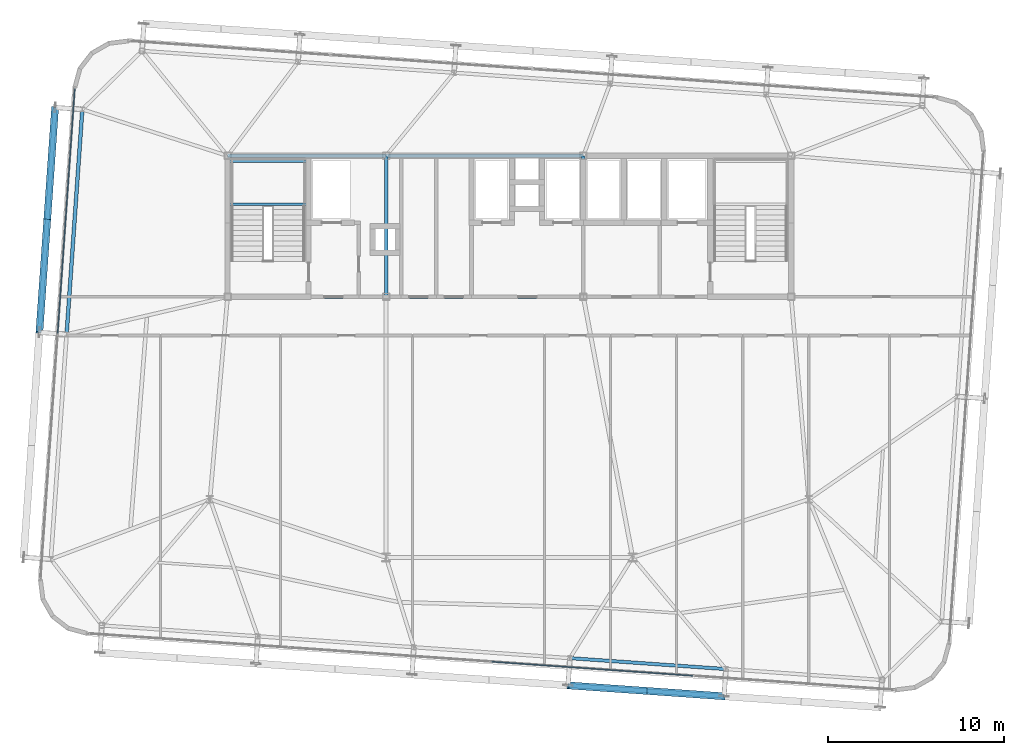
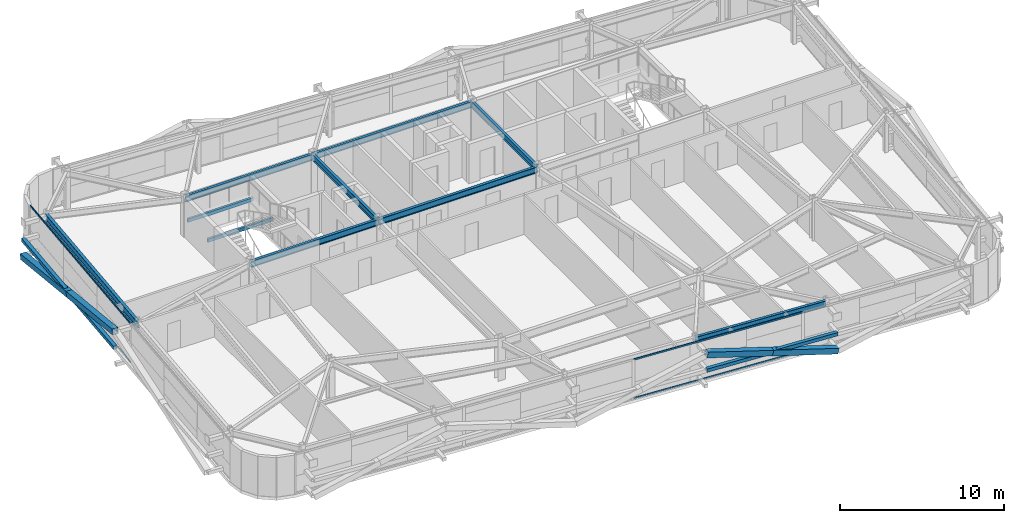
# One storey, part 12 of 39: 10 beams, 10 members, 2 elements without a shape of their own.
"""IFC4 building model written with IfcOpenShell, lengths in metres."""

from ifc_helpers import new_model, si_unit, direction, frame, origin, origin_2d, place, context, subcontext, project, spatial, hollow_rectangle, i_section, extrude, source, transform, mapped, material, layer, layer_set, material_profile, profile_set, type_object, element, aggregate, save


model = new_model("IFC4")

# Units and contexts
model_context = context("Model", 3, precision=1e-05, world=origin(), true_north=direction((0.0, 1.0)))
body_context = subcontext(model_context, "Body", "Model", "MODEL_VIEW")
ifc_project = project(units=[si_unit("LENGTHUNIT", "METRE"), si_unit("AREAUNIT", "SQUARE_METRE"), si_unit("VOLUMEUNIT", "CUBIC_METRE"), si_unit("PLANEANGLEUNIT", "RADIAN"), si_unit("MASSUNIT", "GRAM", prefix="KILO")], contexts=[model_context])

# Site, building, storey
site_placement = place(None, origin())
site = spatial("IfcSite", under=ifc_project, at=site_placement, CompositionType="ELEMENT")
building_placement = place(site_placement, origin())
building = spatial("IfcBuilding", under=site, at=building_placement, Name="Taldren Reach Tower", CompositionType="ELEMENT")
storey_placement = place(building_placement, frame((0.0, 0.0, 133.0)))
storey = spatial("IfcBuildingStorey", under=building, at=storey_placement, Name="L40", CompositionType="ELEMENT", Elevation=133.0)

# Beams
ifc_material_1 = material(Name="Steel Gr 350 (350PLUS)", Category="steel")
ifc_material_profile_1 = material_profile(ifc_material_1, i_section(OverallWidth=0.19091796875, OverallDepth=0.4599609375, WebThickness=0.010009765625, FlangeThickness=0.01611328125, at=origin_2d()), Name="460UB82.1")
ifc_profile_set_1 = profile_set([ifc_material_profile_1], Name="Steel Gr 350 (350PLUS)")
beam_type_1 = type_object("IfcBeamType", Name="BM-UB460A", PredefinedType="BEAM", material=ifc_profile_set_1)
shared_shape_1 = source(origin(), body_context, "Body", "SweptSolid", [
    extrude(i_section(OverallWidth=0.19091796875, OverallDepth=0.4599609375, WebThickness=0.010009765625, FlangeThickness=0.01611328125, at=origin_2d()), origin(), (0.0, 0.0, 1.0), 9.0),
])
for number, where, z_axis, x_axis, name in (
    (1, (19.0, 24.0, 2.699951171875), (1.0, 0.0, 0.0), (0.0, 1.0, 0.0), "Core-spine girder L40-SP01"),
    (2, (19.0, 32.0, 2.699951171875), (1.0, 0.0, 0.0), (0.0, 1.0, 0.0), "Core-spine girder L40-SP04"),
):
    element("IfcBeam", number, at=place(storey_placement, frame(where, z_axis=z_axis, x_axis=x_axis)), inside=storey, type_object=beam_type_1, Name=name, PredefinedType="BEAM", context=body_context, shape_type="MappedRepresentation", body=[
        mapped(shared_shape_1, transform((0.0, 0.0, 0.0), scale=1.0)),
    ])
shared_shape_2 = source(origin(), body_context, "Body", "SweptSolid", [
    extrude(i_section(OverallWidth=0.19091796875, OverallDepth=0.4599609375, WebThickness=0.010009765625, FlangeThickness=0.01611328125, at=origin_2d()), origin(), (0.0, 0.0, 1.0), 11.199951171875),
])
for number, where, z_axis, x_axis, name in (
    (3, (28.0, 24.0, 2.699951171875), (1.0, 0.0, 0.0), (0.0, 1.0, 0.0), "Core-spine girder L40-SP02"),
    (4, (28.0, 32.0, 2.699951171875), (1.0, 0.0, 0.0), (0.0, 1.0, 0.0), "Core-spine girder L40-SP05"),
):
    element("IfcBeam", number, at=place(storey_placement, frame(where, z_axis=z_axis, x_axis=x_axis)), inside=storey, type_object=beam_type_1, Name=name, PredefinedType="BEAM", context=body_context, shape_type="MappedRepresentation", body=[
        mapped(shared_shape_2, transform((0.0, 0.0, 0.0), scale=1.0)),
    ])
shared_shape_3 = source(origin(), body_context, "Body", "SweptSolid", [
    extrude(i_section(OverallWidth=0.19091796875, OverallDepth=0.4599609375, WebThickness=0.010009765625, FlangeThickness=0.01611328125, at=origin_2d()), origin(), (0.0, 0.0, 1.0), 8.0),
])
for number, where, z_axis, x_axis, name in (
    (5, (28.0, 24.0, 2.699951171875), (0.0, 1.0, 0.0), (-1.0, 0.0, 0.0), "Core-spine girder L40-SP07"),
    (6, (39.199951171875, 24.0, 2.699951171875), (0.0, 1.0, 0.0), (-1.0, 0.0, 0.0), "Core-spine girder L40-SP08"),
):
    element("IfcBeam", number, at=place(storey_placement, frame(where, z_axis=z_axis, x_axis=x_axis)), inside=storey, type_object=beam_type_1, Name=name, PredefinedType="BEAM", context=body_context, shape_type="MappedRepresentation", body=[
        mapped(shared_shape_3, transform((0.0, 0.0, 0.0), scale=1.0)),
    ])
ifc_material_profile_2 = material_profile(ifc_material_1, i_section(OverallWidth=0.18994140625, OverallDepth=0.4541015625, WebThickness=0.008544921875, FlangeThickness=0.0126953125, at=origin_2d()), Name="460UB67.1")
ifc_profile_set_2 = profile_set([ifc_material_profile_2], Name="Steel Gr 350 (350PLUS)")
beam_type_2 = type_object("IfcBeamType", Name="SP-UB460B", PredefinedType="SPANDREL", material=ifc_profile_set_2)
shared_shape_4 = source(origin(), body_context, "Body", "SweptSolid", [
    extrude(i_section(OverallWidth=0.18994140625, OverallDepth=0.4541015625, WebThickness=0.008544921875, FlangeThickness=0.0126953125, at=origin_2d()), origin(), (0.0, 0.0, 1.0), 8.880126953125),
])
beam_1_placement = place(storey_placement, frame((38.438720703125, 3.480224609375, 2.702880859375), z_axis=(0.997562566276, -0.06977769246, 0.0), x_axis=(0.06977769246, 0.997562566276, 0.0)))
element("IfcBeam", 7, at=beam_1_placement, inside=storey, type_object=beam_type_2, Name="Perimeter spandrel B3 S4-S5 L40", PredefinedType="SPANDREL", context=body_context, shape_type="MappedRepresentation", body=[
    mapped(shared_shape_4, transform((0.0, 0.0, 0.0), scale=1.0)),
])
ifc_material_profile_3 = material_profile(ifc_material_1, i_section(OverallWidth=0.208984375, OverallDepth=0.528076171875, WebThickness=0.009521484375, FlangeThickness=0.01318359375, at=origin_2d()), Name="530UB82.0")
ifc_profile_set_3 = profile_set([ifc_material_profile_3], Name="Steel Gr 350 (350PLUS)")
beam_type_3 = type_object("IfcBeamType", Name="SP-UB530B", PredefinedType="SPANDREL", material=ifc_profile_set_3)
shared_shape_5 = source(origin(), body_context, "Body", "SweptSolid", [
    extrude(i_section(OverallWidth=0.208984375, OverallDepth=0.528076171875, WebThickness=0.009521484375, FlangeThickness=0.01318359375, at=origin_2d()), origin(), (0.0, 0.0, 1.0), 12.800048828125),
])
beam_2_placement = place(storey_placement, frame((10.754638671875, 34.63720703125, 2.666015625), z_axis=(-0.069751876777, -0.9975643717, 0.0), x_axis=(0.9975643717, -0.069751876777, 0.0)))
element("IfcBeam", 8, at=beam_2_placement, inside=storey, type_object=beam_type_3, Name="Perimeter spandrel B3 W3-W2 L40", PredefinedType="SPANDREL", context=body_context, shape_type="MappedRepresentation", body=[
    mapped(shared_shape_5, transform((0.0, 0.0, 0.0), scale=1.0)),
])

# Members
ifc_material_2 = material(Name="Steel Gr 350 (C350L0)", Category="steel")
ifc_material_profile_4 = material_profile(ifc_material_2, hollow_rectangle(XDim=0.25, YDim=0.25, WallThickness=0.010009765625, at=origin_2d()), Name="250x250x10.0SHS")
ifc_profile_set_4 = profile_set([ifc_material_profile_4], Name="Steel Gr 350 (C350L0)")
member_type_1 = type_object("IfcMemberType", Name="MB-POST250", PredefinedType="POST", material=ifc_profile_set_4)
shared_shape_6 = source(origin(), body_context, "Body", "SweptSolid", [
    extrude(hollow_rectangle(XDim=0.25, YDim=0.25, WallThickness=0.010009765625, at=origin_2d()), origin(), (0.0, 0.0, 1.0), 8.880126953125),
])
member_1_placement = place(storey_placement, frame((38.33056640625, 1.933837890625, 1.43505859375), z_axis=(0.997564479639, -0.069750333063, 0.0), x_axis=(0.069750333063, 0.997564479639, 0.0)))
element("IfcMember", 9, at=member_1_placement, inside=storey, type_object=member_type_1, Name="Exoskeleton mid-height ring chord B3-S4 L40", PredefinedType="POST", context=body_context, shape_type="MappedRepresentation", body=[
    mapped(shared_shape_6, transform((0.0, 0.0, 0.0), scale=1.0)),
])
shared_shape_7 = source(origin(), body_context, "Body", "SweptSolid", [
    extrude(hollow_rectangle(XDim=0.25, YDim=0.25, WallThickness=0.010009765625, at=origin_2d()), origin(), (0.0, 0.0, 1.0), 12.800048828125),
])
member_2_placement = place(storey_placement, frame((8.3154296875, 21.9765625, 1.43505859375), z_axis=(0.069770857464, 0.997563044348, 0.0), x_axis=(-0.997563044348, 0.069770857464, 0.0)))
element("IfcMember", 10, at=member_2_placement, inside=storey, type_object=member_type_1, Name="Exoskeleton mid-height ring chord B3-W2 L40", PredefinedType="POST", context=body_context, shape_type="MappedRepresentation", body=[
    mapped(shared_shape_7, transform((0.0, 0.0, 0.0), scale=1.0)),
])
ifc_material_3 = material(Name="Steel Gr 450 (C450L0)", Category="steel")
ifc_material_profile_5 = material_profile(ifc_material_3, hollow_rectangle(XDim=0.409912109375, YDim=0.409912109375, WallThickness=0.01611328125, at=origin_2d()), Name="410x410x16.0SHS")
ifc_profile_set_5 = profile_set([ifc_material_profile_5], Name="Steel Gr 450 (C450L0)")
member_type_2 = type_object("IfcMemberType", Name="MB-EXO406", PredefinedType="BRACE", material=ifc_profile_set_5)
shared_shape_8 = source(origin(), body_context, "Body", "SweptSolid", [
    extrude(hollow_rectangle(XDim=0.409912109375, YDim=0.409912109375, WallThickness=0.01611328125, at=origin_2d()), origin(), (0.0, 0.0, 1.0), 4.603271484375),
])
for number, where, z_axis, x_axis, name in (
    (11, (47.18896484375, 1.314453125, 0.219970703125), (-0.962182351074, 0.067302910567, 0.263961060594), (-0.06977769246, -0.997562566276, 0.0), "Exoskeleton Diagrid Brace B3-S4 L40"),
    (12, (42.759765625, 1.624267578125, 1.43505859375), (-0.962199253371, 0.067251055742, 0.263912660389), (-0.069722973508, -0.997566392259, 0.0), "Exoskeleton Diagrid Brace B3-S4 L40"),
):
    element("IfcMember", number, at=place(storey_placement, frame(where, z_axis=z_axis, x_axis=x_axis)), inside=storey, type_object=member_type_2, Name=name, PredefinedType="BRACE", context=body_context, shape_type="MappedRepresentation", body=[
        mapped(shared_shape_8, transform((0.0, 0.0, 0.0), scale=1.0)),
    ])
shared_shape_9 = source(origin(), body_context, "Body", "SweptSolid", [
    extrude(hollow_rectangle(XDim=0.409912109375, YDim=0.409912109375, WallThickness=0.01611328125, at=origin_2d()), origin(), (0.0, 0.0, 1.0), 6.514404296875),
])
member_3_placement = place(storey_placement, frame((9.20849609375, 34.745361328125, 0.219970703125), z_axis=(-0.068545126831, -0.980056649402, 0.186522195865), x_axis=(0.997563137195, -0.069769529958, 0.0)))
element("IfcMember", 13, at=member_3_placement, inside=storey, type_object=member_type_2, Name="Exoskeleton Diagrid Brace B3-W2 L40", PredefinedType="BRACE", context=body_context, shape_type="MappedRepresentation", body=[
    mapped(shared_shape_9, transform((0.0, 0.0, 0.0), scale=1.0)),
])
shared_shape_10 = source(origin(), body_context, "Body", "SweptSolid", [
    extrude(hollow_rectangle(XDim=0.409912109375, YDim=0.409912109375, WallThickness=0.01611328125, at=origin_2d()), origin(), (0.0, 0.0, 1.0), 6.51416015625),
])
member_4_placement = place(storey_placement, frame((8.761962890625, 28.36083984375, 1.43505859375), z_axis=(-0.068548123702, -0.980062020128, 0.186492872358), x_axis=(0.997562951496, -0.069772185021, 0.0)))
element("IfcMember", 14, at=member_4_placement, inside=storey, type_object=member_type_2, Name="Exoskeleton Diagrid Brace B3-W2 L40", PredefinedType="BRACE", context=body_context, shape_type="MappedRepresentation", body=[
    mapped(shared_shape_10, transform((0.0, 0.0, 0.0), scale=1.0)),
])

# Curtain wall, members
ifc_material_4 = material(Name="Aluminium and Low-E Glass Unitised System", Category="aluminium")
ifc_layer = layer(ifc_material_4, 0.159912109375)
ifc_layer_set = layer_set([ifc_layer], Name="Aluminium and Low-E Glass Unitised System")
curtain_wall_type = type_object("IfcCurtainWallType", Name="CW-SYS-4", PredefinedType="NOTDEFINED", material=ifc_layer_set)
curtain_wall_1_placement = place(storey_placement, origin())
curtain_wall_1 = element("IfcCurtainWall", 15, at=curtain_wall_1_placement, inside=storey, type_object=curtain_wall_type, Name="Unitised curtain wall CW-L40-S", PredefinedType="NOTDEFINED")
ifc_material_5 = material(Name="Anodised Aluminium 6063-T6", Category="aluminium")
ifc_material_profile_6 = material_profile(ifc_material_5, hollow_rectangle(XDim=0.054931640625, YDim=0.1201171875, WallThickness=0.0029296875, at=origin_2d()), Name="ALU-120x55x3RHS")
ifc_profile_set_6 = profile_set([ifc_material_profile_6], Name="Anodised Aluminium 6063-T6")
member_type_3 = type_object("IfcMemberType", Name="CW-TRN-135", PredefinedType="USERDEFINED", material=ifc_profile_set_6)
shared_shape_11 = source(origin(), body_context, "Body", "SweptSolid", [
    extrude(hollow_rectangle(XDim=0.054931640625, YDim=0.1201171875, WallThickness=0.0029296875, at=origin_2d()), origin(), (0.0, 0.0, 1.0), 11.429931640625),
])
member_5_placement = place(storey_placement, frame((34.0087890625, 3.278564453125, 0.027587890625), z_axis=(0.997563740938, -0.069760897114, 0.0), x_axis=(0.069760897114, 0.997563740938, 0.0)))
member_5 = element("IfcMember", 16, at=member_5_placement, type_object=member_type_3, Name="CW-4 transom 3.1", ObjectType="TRANSOM", PredefinedType="USERDEFINED", context=body_context, shape_type="MappedRepresentation", body=[
    mapped(shared_shape_11, transform((0.0, 0.0, 0.0), scale=1.0)),
])
member_6_placement = place(storey_placement, frame((34.0087890625, 3.278564453125, 2.902587890625), z_axis=(0.997563740938, -0.069760897114, 0.0), x_axis=(0.069760897114, 0.997563740938, 0.0)))
member_6 = element("IfcMember", 17, at=member_6_placement, type_object=member_type_3, Name="CW-4 transom 3.2", ObjectType="TRANSOM", PredefinedType="USERDEFINED", context=body_context, shape_type="MappedRepresentation", body=[
    mapped(shared_shape_11, transform((0.0, 0.0, 0.0), scale=1.0)),
])
aggregate(curtain_wall_1, [member_5, member_6])

curtain_wall_2_placement = place(storey_placement, origin())
curtain_wall_2 = element("IfcCurtainWall", 18, at=curtain_wall_2_placement, inside=storey, type_object=curtain_wall_type, Name="Unitised curtain wall CW-L40-W", PredefinedType="NOTDEFINED")
shared_shape_12 = source(origin(), body_context, "Body", "SweptSolid", [
    extrude(hollow_rectangle(XDim=0.054931640625, YDim=0.1201171875, WallThickness=0.0029296875, at=origin_2d()), origin(), (0.0, 0.0, 1.0), 13.895263671875),
])
member_7_placement = place(storey_placement, frame((10.32470703125, 35.800048828125, 0.027587890625), z_axis=(-0.069753594456, -0.997564251595, 0.0), x_axis=(0.997564251595, -0.069753594456, 0.0)))
member_7 = element("IfcMember", 19, at=member_7_placement, type_object=member_type_3, Name="CW-4 transom 1.1", ObjectType="TRANSOM", PredefinedType="USERDEFINED", context=body_context, shape_type="MappedRepresentation", body=[
    mapped(shared_shape_12, transform((0.0, 0.0, 0.0), scale=1.0)),
])
member_8_placement = place(storey_placement, frame((10.32470703125, 35.800048828125, 2.902587890625), z_axis=(-0.069753594456, -0.997564251595, 0.0), x_axis=(0.997564251595, -0.069753594456, 0.0)))
member_8 = element("IfcMember", 20, at=member_8_placement, type_object=member_type_3, Name="CW-4 transom 1.2", ObjectType="TRANSOM", PredefinedType="USERDEFINED", context=body_context, shape_type="MappedRepresentation", body=[
    mapped(shared_shape_12, transform((0.0, 0.0, 0.0), scale=1.0)),
])
aggregate(curtain_wall_2, [member_7, member_8])

# Beams
ifc_material_profile_7 = material_profile(ifc_material_2, hollow_rectangle(XDim=0.14990234375, YDim=0.25, WallThickness=0.009033203125, at=origin_2d()), Name="250x150x9.0RHS")
ifc_profile_set_7 = profile_set([ifc_material_profile_7], Name="Steel Gr 350 (C350L0)")
beam_type_4 = type_object("IfcBeamType", Name="LN-RHS250", PredefinedType="LINTEL", material=ifc_profile_set_7)
shared_shape_13 = source(origin(), body_context, "Body", "SweptSolid", [
    extrude(hollow_rectangle(XDim=0.14990234375, YDim=0.25, WallThickness=0.009033203125, at=origin_2d()), origin(), (0.0, 0.0, 1.0), 4.60009765625),
])
for number, where, z_axis, x_axis, name in (
    (21, (19.0, 29.2548828125, 1.27001953125), (1.0, 0.0, 0.0), (0.0, 1.0, 0.0), "Stair half-landing support beam ST1-L40-1"),
    (22, (19.0, 31.699951171875, 1.27001953125), (1.0, 0.0, 0.0), (0.0, 1.0, 0.0), "Stair half-landing support beam ST1-L40-2"),
):
    element("IfcBeam", number, at=place(storey_placement, frame(where, z_axis=z_axis, x_axis=x_axis)), inside=storey, type_object=beam_type_4, Name=name, PredefinedType="LINTEL", context=body_context, shape_type="MappedRepresentation", body=[
        mapped(shared_shape_13, transform((0.0, 0.0, 0.0), scale=1.0)),
    ])

save(model, "model.ifc")
